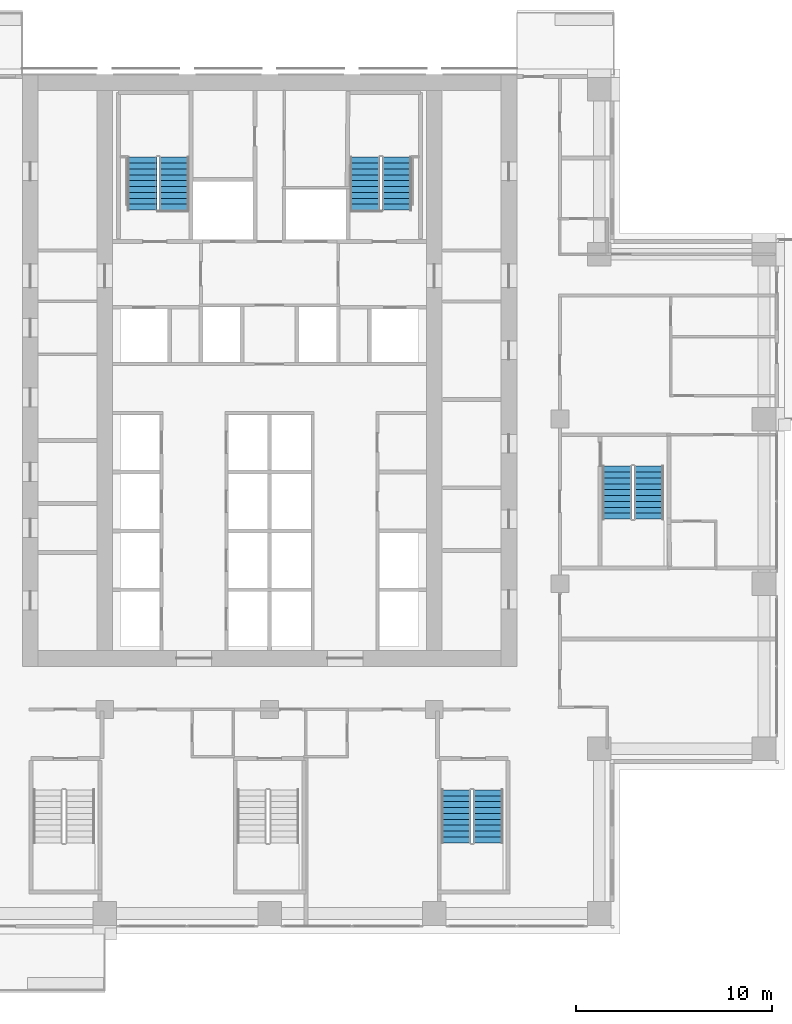
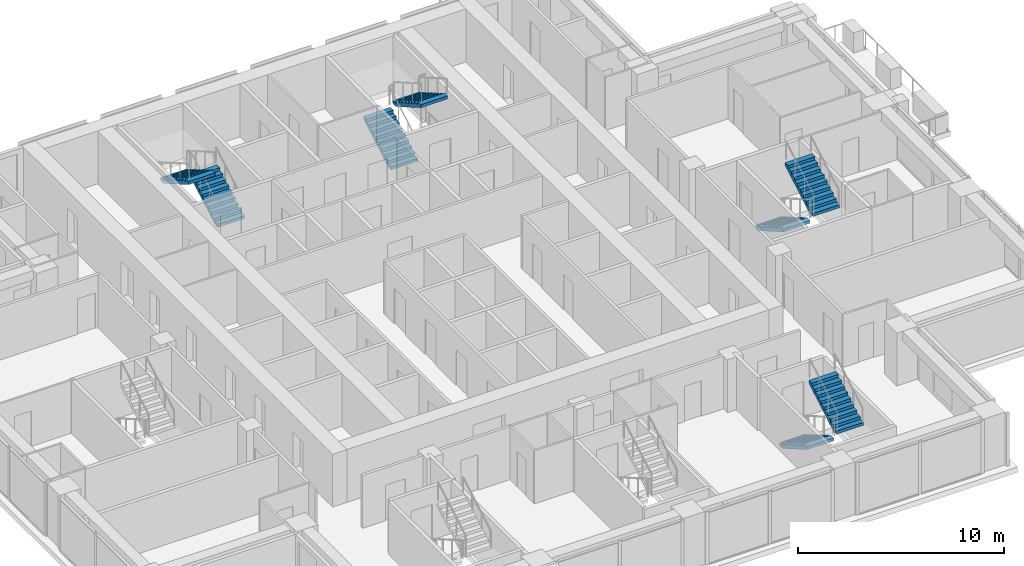
# One storey, part 13 of 17: 8 stair flights, 4 elements without a shape of their own.
"""IFC4 building model written with IfcOpenShell, lengths in metres."""

import ifcopenshell
import ifcopenshell.guid

model = None  # the IFC model being written
_history = None  # IfcOwnerHistory: only IFC2X3 demands one
_inside = {}  # id of a spatial element -> (the spatial element, [elements in it])
_under = {}  # id of a project, library or spatial element -> (it, [spatial elements below it])
_declared = {}  # id of a project -> (the project, [libraries it declares])
_typed = {}  # id of a type object -> (the type object, [elements of that type])
_made_of = {}  # id of a material, layer set ... -> (it, [elements and type objects made of it])


def new_model(schema):
    """Start an empty IFC model of exactly this schema.

    Asked for "IFC4X3", IfcOpenShell would pick the latest addendum, in which some entities
    have other attributes; the version numbers below select the first issue.
    IFC2X3 requires an IfcOwnerHistory on every rooted entity: one is made here for all.
    """
    global model, _history
    if schema == "IFC4X3":
        model = ifcopenshell.file(schema_version=(4, 3, 0, 0))
    else:
        model = ifcopenshell.file(schema=schema)
    _inside.clear()
    _under.clear()
    _declared.clear()
    _typed.clear()
    _made_of.clear()
    _history = None
    if model.schema == "IFC2X3":
        org = make("IfcOrganization", Name="unknown")
        user = make(
            "IfcPersonAndOrganization",
            ThePerson=make("IfcPerson", FamilyName="unknown"),
            TheOrganization=org,
        )
        app = make(
            "IfcApplication",
            ApplicationDeveloper=org,
            Version="unknown",
            ApplicationFullName="unknown",
            ApplicationIdentifier="unknown",
        )
        _history = make(
            "IfcOwnerHistory",
            OwningUser=user,
            OwningApplication=app,
            ChangeAction="ADDED",
            CreationDate=0,
        )
    return model


def make(cls, **values):
    """One entity of the class cls with the attributes given. An attribute that is None is left unset."""
    return model.create_entity(
        cls, **{name: value for name, value in values.items() if value is not None}
    )


def rooted(cls, **values):
    """An entity with a GlobalId (a new one), such as an element, a storey or a relation."""
    return make(cls, GlobalId=ifcopenshell.guid.new(), OwnerHistory=_history, **values)


def si_unit(unit_type, name, prefix=None):
    """IfcSIUnit, for example si_unit("LENGTHUNIT", "METRE", prefix="MILLI")."""
    return make("IfcSIUnit", UnitType=unit_type, Prefix=prefix, Name=name)


def assignment(units):
    """IfcUnitAssignment: the units of a project."""
    return None if units is None else make("IfcUnitAssignment", Units=units)


def point(xyz):
    """IfcCartesianPoint."""
    return None if xyz is None else make("IfcCartesianPoint", Coordinates=xyz)


def direction(xyz):
    """IfcDirection."""
    return None if xyz is None else make("IfcDirection", DirectionRatios=xyz)


def frame(location, z_axis=None, x_axis=None):
    """IfcAxis2Placement3D, a coordinate frame: its origin and axes. An axis left out is left unset."""
    return make(
        "IfcAxis2Placement3D",
        Location=point(location),
        Axis=direction(z_axis),
        RefDirection=direction(x_axis),
    )


def origin():
    """The frame at (0, 0, 0) with its axes left unset."""
    return frame((0.0, 0.0, 0.0))


def place(relative_to, where):
    """IfcLocalPlacement: puts the frame where relative to a parent placement (None: the world)."""
    return make(
        "IfcLocalPlacement", PlacementRelTo=relative_to, RelativePlacement=where
    )


def context(
    kind, dimensions, precision=None, world=None, true_north=None, identifier=None
):
    """IfcGeometricRepresentationContext, for example the 3D "Model" context."""
    return make(
        "IfcGeometricRepresentationContext",
        ContextIdentifier=identifier,
        ContextType=kind,
        CoordinateSpaceDimension=dimensions,
        Precision=precision,
        WorldCoordinateSystem=world,
        TrueNorth=true_north,
    )


def subcontext(parent, identifier, kind, view, scale=None):
    """IfcGeometricRepresentationSubContext, for example "Body" below "Model"."""
    return make(
        "IfcGeometricRepresentationSubContext",
        ContextIdentifier=identifier,
        ContextType=kind,
        ParentContext=parent,
        TargetScale=scale,
        TargetView=view,
    )


def project(units=None, contexts=None):
    """IfcProject with its units and contexts."""
    return rooted(
        "IfcProject",
        Name="project",
        RepresentationContexts=contexts,
        UnitsInContext=assignment(units),
    )


def spatial(cls, under=None, at=None, **own):
    """A site, building, storey or space (cls), placed at a placement, below another one or the project."""
    s = rooted(cls, ObjectPlacement=at, **own)
    if under is not None:
        _under.setdefault(under.id(), (under, []))[1].append(s)
    return s


def polyline(points):
    """IfcPolyline through the points."""
    return make("IfcPolyline", Points=[point(p) for p in points])


def outline(outer, holes=None, kind="AREA"):
    """IfcArbitraryClosedProfileDef: a profile drawn as a closed curve; with holes, ...WithVoids."""
    if holes is None:
        return make("IfcArbitraryClosedProfileDef", ProfileType=kind, OuterCurve=outer)
    return make(
        "IfcArbitraryProfileDefWithVoids",
        ProfileType=kind,
        OuterCurve=outer,
        InnerCurves=holes,
    )


def extrude(swept, where, along, depth):
    """IfcExtrudedAreaSolid: the profile swept, set in the frame where, extruded along a direction by depth."""
    return make(
        "IfcExtrudedAreaSolid",
        SweptArea=swept,
        Position=where,
        ExtrudedDirection=direction(along),
        Depth=depth,
    )


def shape(context_of_items, identifier, shape_type, items):
    """IfcShapeRepresentation: the items that make up one representation, for example the "Body"."""
    return make(
        "IfcShapeRepresentation",
        ContextOfItems=context_of_items,
        RepresentationIdentifier=identifier,
        RepresentationType=shape_type,
        Items=items,
    )


def material(Name=None, Category=None):
    """IfcMaterial."""
    return make("IfcMaterial", Name=Name, Category=Category)


def made_of(thing, what):
    """Note that an element or type object is made of a material, layer set ...; save() writes the relation."""
    if what is not None:
        _made_of.setdefault(what.id(), (what, []))[1].append(thing)
    return thing


def type_object(cls, material=None, **own):
    """A type object (cls), such as IfcWallType, which elements share."""
    return made_of(rooted(cls, **own), material)


def element(
    cls,
    number,
    at=None,
    inside=None,
    cuts=None,
    type_object=None,
    material=None,
    context=None,
    identifier="Body",
    shape_type=None,
    held_by="IfcProductDefinitionShape",
    body=None,
    shapes=None,
    **own,
):
    """One element of the class cls, such as IfcWall. Its Tag is "e" and its number.

    at: its placement. inside: the storey or other place that contains it. cuts: it is an
    opening in that element (IfcRelVoidsElement). A single representation is given by context,
    identifier, shape_type and body (its items); several are given by shapes. held_by: the class
    of the entity that holds the representations. save() writes the other relations.
    """
    e = rooted(cls, Tag="e%d" % number, ObjectPlacement=at, **own)
    if body is not None:
        shapes = [shape(context, identifier, shape_type, body)]
    if shapes is not None:
        e.Representation = make(held_by, Representations=shapes)
    if inside is not None:
        _inside.setdefault(inside.id(), (inside, []))[1].append(e)
    if cuts is not None:
        rooted(
            "IfcRelVoidsElement", RelatingBuildingElement=cuts, RelatedOpeningElement=e
        )
    if type_object is not None:
        _typed.setdefault(type_object.id(), (type_object, []))[1].append(e)
    return made_of(e, material)


def aggregate(whole, parts):
    """IfcRelAggregates: a whole, such as a stair, and the parts it consists of."""
    return rooted("IfcRelAggregates", RelatingObject=whole, RelatedObjects=parts)


def save(model, path):
    """Write the relations noted so far, then the file.

    IfcRelAggregates (storeys below a building ...), IfcRelContainedInSpatialStructure (elements
    in a storey), IfcRelDefinesByType, IfcRelAssociatesMaterial and IfcRelDeclares: one each for
    every whole, place, type object, material and project.
    """
    for whole, parts in _under.values():
        aggregate(whole, parts)
    for where, things in _inside.values():
        rooted(
            "IfcRelContainedInSpatialStructure",
            RelatedElements=things,
            RelatingStructure=where,
        )
    for kind, things in _typed.values():
        rooted("IfcRelDefinesByType", RelatedObjects=things, RelatingType=kind)
    for what, things in _made_of.values():
        rooted("IfcRelAssociatesMaterial", RelatedObjects=things, RelatingMaterial=what)
    for by, libraries in _declared.values():
        rooted("IfcRelDeclares", RelatingContext=by, RelatedDefinitions=libraries)
    model.write(path)


model = new_model("IFC4")

# Units and contexts
model_context = context("Model", 3, precision=1e-05, world=origin(), true_north=direction((0.0, 1.0)))
body_context = subcontext(model_context, "Body", "Model", "MODEL_VIEW")
ifc_project = project(units=[si_unit("LENGTHUNIT", "METRE"), si_unit("AREAUNIT", "SQUARE_METRE"), si_unit("VOLUMEUNIT", "CUBIC_METRE"), si_unit("PLANEANGLEUNIT", "RADIAN"), si_unit("MASSUNIT", "GRAM", prefix="KILO")], contexts=[model_context])

# Site, building, storey
site_placement = place(None, origin())
site = spatial("IfcSite", under=ifc_project, at=site_placement, CompositionType="ELEMENT")
building_placement = place(site_placement, origin())
building = spatial("IfcBuilding", under=site, at=building_placement, Name="Vermilion Ogive Tower", CompositionType="ELEMENT")
storey_placement = place(building_placement, frame((0.0, 0.0, 87.300048828125)))
storey = spatial("IfcBuildingStorey", under=building, at=storey_placement, Name="L21", CompositionType="ELEMENT", Elevation=87.300048828125)

# Stair, stair flights
ifc_material_1 = material(Name="Concrete B40", Category="concrete")
stair_type = type_object("IfcStairType", Name="Exit stair 1500", PredefinedType="HALF_TURN_STAIR", material=ifc_material_1)
stair_1_placement = place(storey_placement, origin())
stair_1 = element("IfcStair", 1, at=stair_1_placement, inside=storey, type_object=stair_type, Name="L21 Exit Stair ST1", PredefinedType="HALF_TURN_STAIR")
ifc_material_2 = material(Name="Concrete B40", Category="concrete")
stair_flight_type = type_object("IfcStairFlightType", Name="Stair flight 1500", PredefinedType="STRAIGHT", material=ifc_material_2)
stair_flight_1_placement = place(storey_placement, frame((-4.85009765625, 14.85009765625, 0.0), z_axis=(0.0, 0.0, 1.0), x_axis=(0.0, 1.0, 0.0)))
stair_flight_1 = element("IfcStairFlight", 2, at=stair_flight_1_placement, type_object=stair_flight_type, Name="ST1 flight 1", NumberOfRisers=10, NumberOfTreads=9, PredefinedType="STRAIGHT", RiserHeight=0.1725, TreadLength=0.3, context=body_context, shape_type="SweptSolid", body=[
    extrude(outline(polyline([(0.0, 0.0), (0.0, 0.172607421875), (0.300048828125, 0.172607421875), (0.300048828125, 0.344970703125), (0.60009765625, 0.344970703125), (0.60009765625, 0.517578125), (0.89990234375, 0.517578125), (0.89990234375, 0.68994140625), (1.199951171875, 0.68994140625), (1.199951171875, 0.862548828125), (1.5, 0.862548828125), (1.5, 1.034912109375), (1.800048828125, 1.034912109375), (1.800048828125, 1.20751953125), (2.10009765625, 1.20751953125), (2.10009765625, 1.3798828125), (2.39990234375, 1.3798828125), (2.39990234375, 1.552490234375), (2.699951171875, 1.552490234375), (2.699951171875, 1.72509765625), (2.699951171875, 1.379638671875), (0.30078125, 0.0), (0.0, 0.0)])), frame((0.0, 0.75, 0.0), z_axis=(0.0, -1.0, 0.0), x_axis=(1.0, 0.0, 0.0)), (0.0, 0.0, 1.0), 1.5),
])
stair_flight_2_placement = place(storey_placement, frame((-6.5, 17.550048828125, 1.724853515625), z_axis=(0.0, 0.0, 1.0), x_axis=(0.0, -1.0, 0.0)))
stair_flight_2 = element("IfcStairFlight", 3, at=stair_flight_2_placement, type_object=stair_flight_type, Name="ST1 flight 2", NumberOfRisers=10, NumberOfTreads=9, PredefinedType="STRAIGHT", RiserHeight=0.1725, TreadLength=0.3, context=body_context, shape_type="SweptSolid", body=[
    extrude(outline(polyline([(0.0, 0.0), (0.0, 0.172607421875), (0.300048828125, 0.172607421875), (0.300048828125, 0.344970703125), (0.60009765625, 0.344970703125), (0.60009765625, 0.517578125), (0.89990234375, 0.517578125), (0.89990234375, 0.68994140625), (1.199951171875, 0.68994140625), (1.199951171875, 0.862548828125), (1.5, 0.862548828125), (1.5, 1.034912109375), (1.800048828125, 1.034912109375), (1.800048828125, 1.20751953125), (2.10009765625, 1.20751953125), (2.10009765625, 1.3798828125), (2.39990234375, 1.3798828125), (2.39990234375, 1.552490234375), (2.699951171875, 1.552490234375), (2.699951171875, 1.72509765625), (2.699951171875, 1.379638671875), (0.30078125, 0.0), (0.0, 0.0)])), frame((0.0, 0.75, 0.0), z_axis=(0.0, -1.0, 0.0), x_axis=(1.0, 0.0, 0.0)), (0.0, 0.0, 1.0), 1.5),
])
aggregate(stair_1, [stair_flight_1, stair_flight_2])

stair_2_placement = place(storey_placement, origin())
stair_2 = element("IfcStair", 4, at=stair_2_placement, inside=storey, type_object=stair_type, Name="L21 Exit Stair ST2", PredefinedType="HALF_TURN_STAIR")
stair_flight_3_placement = place(storey_placement, frame((4.85009765625, 14.85009765625, 0.0), z_axis=(0.0, 0.0, 1.0), x_axis=(0.0, 1.0, 0.0)))
stair_flight_3 = element("IfcStairFlight", 5, at=stair_flight_3_placement, type_object=stair_flight_type, Name="ST2 flight 1", NumberOfRisers=10, NumberOfTreads=9, PredefinedType="STRAIGHT", RiserHeight=0.1725, TreadLength=0.3, context=body_context, shape_type="SweptSolid", body=[
    extrude(outline(polyline([(0.0, 0.0), (0.0, 0.172607421875), (0.300048828125, 0.172607421875), (0.300048828125, 0.344970703125), (0.60009765625, 0.344970703125), (0.60009765625, 0.517578125), (0.89990234375, 0.517578125), (0.89990234375, 0.68994140625), (1.199951171875, 0.68994140625), (1.199951171875, 0.862548828125), (1.5, 0.862548828125), (1.5, 1.034912109375), (1.800048828125, 1.034912109375), (1.800048828125, 1.20751953125), (2.10009765625, 1.20751953125), (2.10009765625, 1.3798828125), (2.39990234375, 1.3798828125), (2.39990234375, 1.552490234375), (2.699951171875, 1.552490234375), (2.699951171875, 1.72509765625), (2.699951171875, 1.379638671875), (0.30078125, 0.0), (0.0, 0.0)])), frame((0.0, 0.75, 0.0), z_axis=(0.0, -1.0, 0.0), x_axis=(1.0, 0.0, 0.0)), (0.0, 0.0, 1.0), 1.5),
])
stair_flight_4_placement = place(storey_placement, frame((6.5, 17.550048828125, 1.724853515625), z_axis=(0.0, 0.0, 1.0), x_axis=(0.0, -1.0, 0.0)))
stair_flight_4 = element("IfcStairFlight", 6, at=stair_flight_4_placement, type_object=stair_flight_type, Name="ST2 flight 2", NumberOfRisers=10, NumberOfTreads=9, PredefinedType="STRAIGHT", RiserHeight=0.1725, TreadLength=0.3, context=body_context, shape_type="SweptSolid", body=[
    extrude(outline(polyline([(0.0, 0.0), (0.0, 0.172607421875), (0.300048828125, 0.172607421875), (0.300048828125, 0.344970703125), (0.60009765625, 0.344970703125), (0.60009765625, 0.517578125), (0.89990234375, 0.517578125), (0.89990234375, 0.68994140625), (1.199951171875, 0.68994140625), (1.199951171875, 0.862548828125), (1.5, 0.862548828125), (1.5, 1.034912109375), (1.800048828125, 1.034912109375), (1.800048828125, 1.20751953125), (2.10009765625, 1.20751953125), (2.10009765625, 1.3798828125), (2.39990234375, 1.3798828125), (2.39990234375, 1.552490234375), (2.699951171875, 1.552490234375), (2.699951171875, 1.72509765625), (2.699951171875, 1.379638671875), (0.30078125, 0.0), (0.0, 0.0)])), frame((0.0, 0.75, 0.0), z_axis=(0.0, -1.0, 0.0), x_axis=(1.0, 0.0, 0.0)), (0.0, 0.0, 1.0), 1.5),
])
aggregate(stair_2, [stair_flight_3, stair_flight_4])

stair_3_placement = place(storey_placement, origin())
stair_3 = element("IfcStair", 7, at=stair_3_placement, inside=storey, type_object=stair_type, Name="L21 Exit Stair ST5", PredefinedType="HALF_TURN_STAIR")
stair_flight_5_placement = place(storey_placement, frame((9.5, -14.699951171875, 0.0), z_axis=(0.0, 0.0, 1.0), x_axis=(0.0, -1.0, 0.0)))
stair_flight_5 = element("IfcStairFlight", 8, at=stair_flight_5_placement, type_object=stair_flight_type, Name="ST5 flight 1", NumberOfRisers=10, NumberOfTreads=9, PredefinedType="STRAIGHT", RiserHeight=0.1725, TreadLength=0.3, context=body_context, shape_type="SweptSolid", body=[
    extrude(outline(polyline([(0.0, 0.0), (0.0, 0.172607421875), (0.300048828125, 0.172607421875), (0.300048828125, 0.344970703125), (0.60009765625, 0.344970703125), (0.60009765625, 0.517578125), (0.89990234375, 0.517578125), (0.89990234375, 0.68994140625), (1.199951171875, 0.68994140625), (1.199951171875, 0.862548828125), (1.5, 0.862548828125), (1.5, 1.034912109375), (1.800048828125, 1.034912109375), (1.800048828125, 1.20751953125), (2.10009765625, 1.20751953125), (2.10009765625, 1.3798828125), (2.39990234375, 1.3798828125), (2.39990234375, 1.552490234375), (2.699951171875, 1.552490234375), (2.699951171875, 1.72509765625), (2.699951171875, 1.379638671875), (0.30078125, 0.0), (0.0, 0.0)])), frame((0.0, 0.75, 0.0), z_axis=(0.0, -1.0, 0.0), x_axis=(1.0, 0.0, 0.0)), (0.0, 0.0, 1.0), 1.5),
])
stair_flight_6_placement = place(storey_placement, frame((11.14990234375, -17.39990234375, 1.724853515625), z_axis=(0.0, 0.0, 1.0), x_axis=(0.0, 1.0, 0.0)))
stair_flight_6 = element("IfcStairFlight", 9, at=stair_flight_6_placement, type_object=stair_flight_type, Name="ST5 flight 2", NumberOfRisers=10, NumberOfTreads=9, PredefinedType="STRAIGHT", RiserHeight=0.1725, TreadLength=0.3, context=body_context, shape_type="SweptSolid", body=[
    extrude(outline(polyline([(0.0, 0.0), (0.0, 0.172607421875), (0.300048828125, 0.172607421875), (0.300048828125, 0.344970703125), (0.60009765625, 0.344970703125), (0.60009765625, 0.517578125), (0.89990234375, 0.517578125), (0.89990234375, 0.68994140625), (1.199951171875, 0.68994140625), (1.199951171875, 0.862548828125), (1.5, 0.862548828125), (1.5, 1.034912109375), (1.800048828125, 1.034912109375), (1.800048828125, 1.20751953125), (2.10009765625, 1.20751953125), (2.10009765625, 1.3798828125), (2.39990234375, 1.3798828125), (2.39990234375, 1.552490234375), (2.699951171875, 1.552490234375), (2.699951171875, 1.72509765625), (2.699951171875, 1.379638671875), (0.30078125, 0.0), (0.0, 0.0)])), frame((0.0, 0.75, 0.0), z_axis=(0.0, -1.0, 0.0), x_axis=(1.0, 0.0, 0.0)), (0.0, 0.0, 1.0), 1.5),
])
aggregate(stair_3, [stair_flight_5, stair_flight_6])

stair_4_placement = place(storey_placement, origin())
stair_4 = element("IfcStair", 10, at=stair_4_placement, inside=storey, type_object=stair_type, Name="L21 Exit Stair ST8", PredefinedType="HALF_TURN_STAIR")
stair_flight_7_placement = place(storey_placement, frame((17.699951171875, 1.800048828125, 0.0), z_axis=(0.0, 0.0, 1.0), x_axis=(0.0, -1.0, 0.0)))
stair_flight_7 = element("IfcStairFlight", 11, at=stair_flight_7_placement, type_object=stair_flight_type, Name="ST8 flight 1", NumberOfRisers=10, NumberOfTreads=9, PredefinedType="STRAIGHT", RiserHeight=0.1725, TreadLength=0.3, context=body_context, shape_type="SweptSolid", body=[
    extrude(outline(polyline([(0.0, 0.0), (0.0, 0.172607421875), (0.300048828125, 0.172607421875), (0.300048828125, 0.344970703125), (0.60009765625, 0.344970703125), (0.60009765625, 0.517578125), (0.89990234375, 0.517578125), (0.89990234375, 0.68994140625), (1.199951171875, 0.68994140625), (1.199951171875, 0.862548828125), (1.5, 0.862548828125), (1.5, 1.034912109375), (1.800048828125, 1.034912109375), (1.800048828125, 1.20751953125), (2.10009765625, 1.20751953125), (2.10009765625, 1.3798828125), (2.39990234375, 1.3798828125), (2.39990234375, 1.552490234375), (2.699951171875, 1.552490234375), (2.699951171875, 1.72509765625), (2.699951171875, 1.379638671875), (0.30078125, 0.0), (0.0, 0.0)])), frame((0.0, 0.75, 0.0), z_axis=(0.0, -1.0, 0.0), x_axis=(1.0, 0.0, 0.0)), (0.0, 0.0, 1.0), 1.5),
])
stair_flight_8_placement = place(storey_placement, frame((19.35009765625, -0.89990234375, 1.724853515625), z_axis=(0.0, 0.0, 1.0), x_axis=(0.0, 1.0, 0.0)))
stair_flight_8 = element("IfcStairFlight", 12, at=stair_flight_8_placement, type_object=stair_flight_type, Name="ST8 flight 2", NumberOfRisers=10, NumberOfTreads=9, PredefinedType="STRAIGHT", RiserHeight=0.1725, TreadLength=0.3, context=body_context, shape_type="SweptSolid", body=[
    extrude(outline(polyline([(0.0, 0.0), (0.0, 0.172607421875), (0.300048828125, 0.172607421875), (0.300048828125, 0.344970703125), (0.60009765625, 0.344970703125), (0.60009765625, 0.517578125), (0.89990234375, 0.517578125), (0.89990234375, 0.68994140625), (1.199951171875, 0.68994140625), (1.199951171875, 0.862548828125), (1.5, 0.862548828125), (1.5, 1.034912109375), (1.800048828125, 1.034912109375), (1.800048828125, 1.20751953125), (2.10009765625, 1.20751953125), (2.10009765625, 1.3798828125), (2.39990234375, 1.3798828125), (2.39990234375, 1.552490234375), (2.699951171875, 1.552490234375), (2.699951171875, 1.72509765625), (2.699951171875, 1.379638671875), (0.30078125, 0.0), (0.0, 0.0)])), frame((0.0, 0.75, 0.0), z_axis=(0.0, -1.0, 0.0), x_axis=(1.0, 0.0, 0.0)), (0.0, 0.0, 1.0), 1.5),
])
aggregate(stair_4, [stair_flight_7, stair_flight_8])

save(model, "model.ifc")
